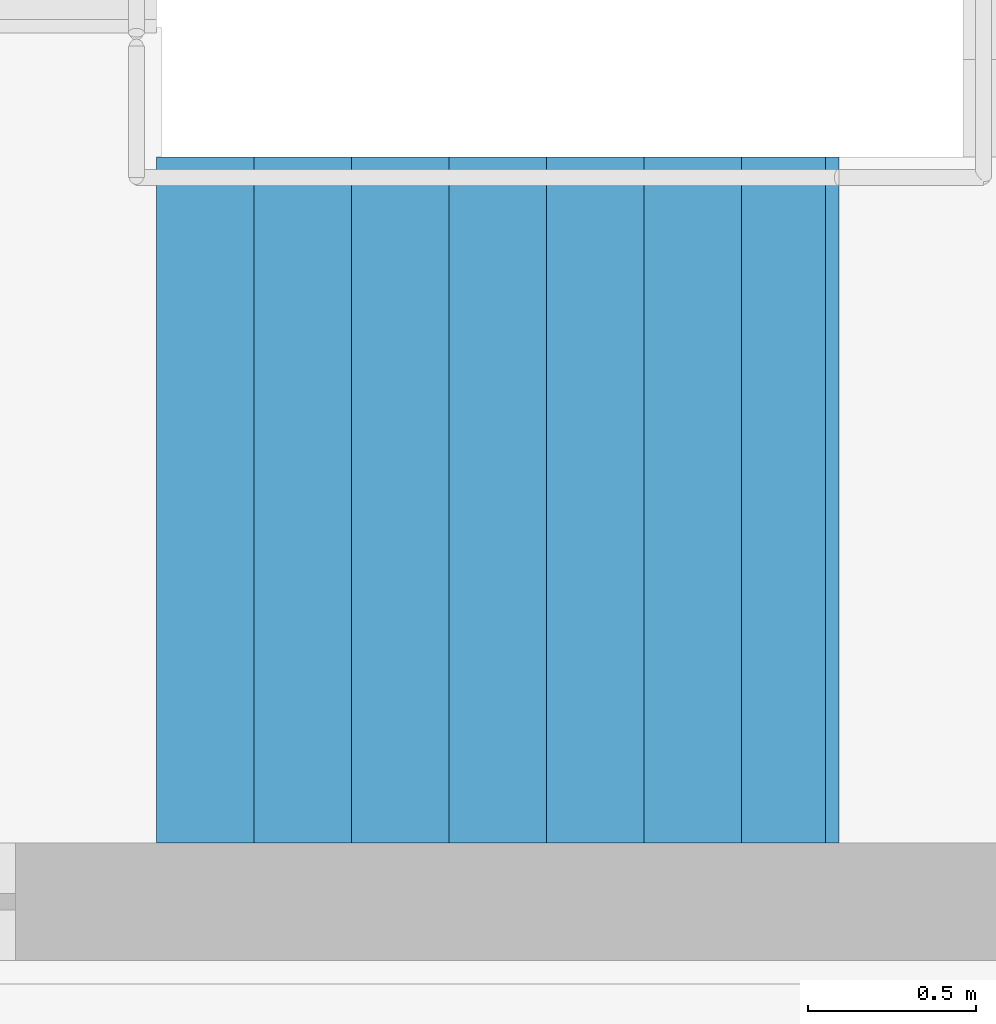
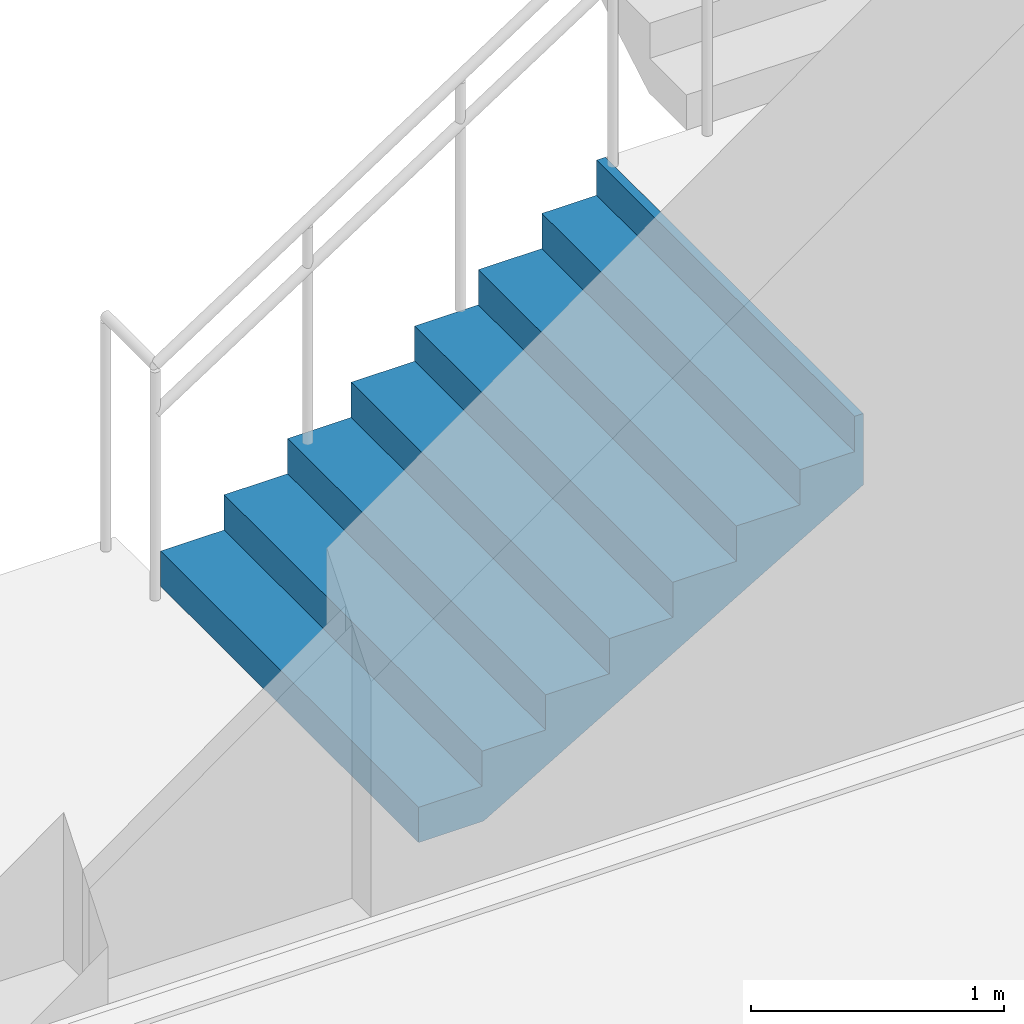
# One storey, part 55 of 74: 1 stair flight, 1 element without a shape of its own.
"""IFC4 building model written with IfcOpenShell, lengths in metres."""

from ifc_helpers import new_model, si_unit, direction, frame, origin, place, context, subcontext, project, spatial, triangles, material, type_object, element, aggregate, save


model = new_model("IFC4")

# Units and contexts
model_context = context("Model", 3, precision=1e-05, world=origin(), true_north=direction((0.0, 1.0)))
body_context = subcontext(model_context, "Body", "Model", "MODEL_VIEW")
ifc_project = project(units=[si_unit("LENGTHUNIT", "METRE"), si_unit("AREAUNIT", "SQUARE_METRE"), si_unit("VOLUMEUNIT", "CUBIC_METRE"), si_unit("PLANEANGLEUNIT", "RADIAN"), si_unit("MASSUNIT", "GRAM", prefix="KILO")], contexts=[model_context])

# Site, building, storey
site_placement = place(None, origin())
site = spatial("IfcSite", under=ifc_project, at=site_placement, CompositionType="ELEMENT")
building_placement = place(site_placement, origin())
building = spatial("IfcBuilding", under=site, at=building_placement, Name="Sillaruma Civic Art Gallery", CompositionType="ELEMENT")
storey_placement = place(building_placement, frame((0.0, 0.0, 5.43994140625)))
storey = spatial("IfcBuildingStorey", under=building, at=storey_placement, Name="L01", CompositionType="ELEMENT", Elevation=5.43994140625)

# Stair, stair flight
ifc_material = material(Name="Concrete H35 (35 MPa)", Category="concrete")
stair_type = type_object("IfcStairType", Name="STR-4F-32", PredefinedType="USERDEFINED", material=ifc_material)
stair_placement = place(storey_placement, origin())
stair = element("IfcStair", 1, at=stair_placement, inside=storey, type_object=stair_type, Name="Protected Exit Stair ST-04 (East Bar) (L01)", ObjectType="THREE_RETURN_STAIR", PredefinedType="USERDEFINED")
stair_flight_type = type_object("IfcStairFlightType", Name="SFL-STR-8", PredefinedType="STRAIGHT", material=ifc_material)
stair_flight_placement = place(storey_placement, frame((100.89990234375, 52.22998046875, 0.0), z_axis=(0.0, 0.0, 1.0), x_axis=(1.0, 0.0, 0.0)))
stair_flight = element("IfcStairFlight", 2, at=stair_flight_placement, type_object=stair_flight_type, Name="ST-04 flight 1", NumberOfRisers=8, NumberOfTreads=7, PredefinedType="STRAIGHT", RiserHeight=0.17, TreadLength=0.29, context=body_context, shape_type="Tessellation", body=[
    triangles([(0.0, -1.02001953125, 0.0), (0.29, -1.02001953125, 0.0), (0.296443, -1.02001953125, 0.0), (0.58, -1.02001953125, 0.166223), (0.87, -1.02001953125, 0.336223), (1.16, -1.02001953125, 0.506223), (1.45, -1.02001953125, 0.676223), (1.74, -1.02001953125, 0.846223), (1.990029, -1.02001953125, 0.992792), (2.030029, -1.02001953125, 1.01624), (2.030029, -1.02001953125, 1.36), (1.990029, -1.02001953125, 1.36), (1.990029, -1.02001953125, 1.19), (1.74, -1.02001953125, 1.19), (1.74, -1.02001953125, 1.02), (1.45, -1.02001953125, 1.02), (1.45, -1.02001953125, 0.85), (1.16, -1.02001953125, 0.85), (1.16, -1.02001953125, 0.68), (0.87, -1.02001953125, 0.68), (0.87, -1.02001953125, 0.51), (0.58, -1.02001953125, 0.51), (0.58, -1.02001953125, 0.34), (0.296443, -1.02001953125, 0.34), (0.29, -1.02001953125, 0.34), (0.29, -1.02001953125, 0.17), (0.0, -1.02001953125, 0.17), (0.0, -0.05, 0.0), (0.29, -0.05, 0.0), (0.296443, -0.05, 0.0), (0.58, -0.05, 0.166223), (0.87, -0.05, 0.336223), (1.16, -0.05, 0.506223), (1.45, -0.05, 0.676223), (1.74, -0.05, 0.846223), (1.990029, -0.05, 0.992792), (2.030029, -0.05, 1.01624), (2.030029, -0.05, 1.36), (1.990029, -0.05, 1.36), (1.990029, -0.05, 1.19), (1.74, -0.05, 1.19), (1.74, -0.05, 1.02), (1.45, -0.05, 1.02), (1.45, -0.05, 0.85), (1.16, -0.05, 0.85), (1.16, -0.05, 0.68), (0.87, -0.05, 0.68), (0.87, -0.05, 0.51), (0.58, -0.05, 0.51), (0.58, -0.05, 0.34), (0.296443, -0.05, 0.34), (0.29, -0.05, 0.34), (0.29, -0.05, 0.17), (0.0, -0.05, 0.17), (0.0, -0.0375, 0.0), (0.29, -0.0375, 0.0), (0.296443, -0.0375, 0.0), (0.58, -0.0375, 0.166223), (0.87, -0.0375, 0.336223), (1.16, -0.0375, 0.506223), (1.45, -0.0375, 0.676223), (1.74, -0.0375, 0.846223), (1.990029, -0.0375, 0.992792), (2.030029, -0.0375, 1.01624), (2.030029, -0.0375, 1.36), (1.990029, -0.0375, 1.36), (1.990029, -0.0375, 1.19), (1.74, -0.0375, 1.19), (1.74, -0.0375, 1.02), (1.45, -0.0375, 1.02), (1.45, -0.0375, 0.85), (1.16, -0.0375, 0.85), (1.16, -0.0375, 0.68), (0.87, -0.0375, 0.68), (0.87, -0.0375, 0.51), (0.58, -0.0375, 0.51), (0.58, -0.0375, 0.34), (0.296443, -0.0375, 0.34), (0.29, -0.0375, 0.34), (0.29, -0.0375, 0.17), (0.0, -0.0375, 0.17), (0.0, -0.025, 0.0), (0.29, -0.025, 0.0), (0.296443, -0.025, 0.0), (0.58, -0.025, 0.166223), (0.87, -0.025, 0.336223), (1.16, -0.025, 0.506223), (1.45, -0.025, 0.676223), (1.74, -0.025, 0.846223), (1.990029, -0.025, 0.992792), (2.030029, -0.025, 1.01624), (2.030029, -0.025, 1.36), (1.990029, -0.025, 1.36), (1.990029, -0.025, 1.19), (1.74, -0.025, 1.19), (1.74, -0.025, 1.02), (1.45, -0.025, 1.02), (1.45, -0.025, 0.85), (1.16, -0.025, 0.85), (1.16, -0.025, 0.68), (0.87, -0.025, 0.68), (0.87, -0.025, 0.51), (0.58, -0.025, 0.51), (0.58, -0.025, 0.34), (0.296443, -0.025, 0.34), (0.29, -0.025, 0.34), (0.29, -0.025, 0.17), (0.0, -0.025, 0.17), (0.0, -0.0125, 0.0), (0.29, -0.0125, 0.0), (0.296443, -0.0125, 0.0), (0.58, -0.0125, 0.166223), (0.87, -0.0125, 0.336223), (1.16, -0.0125, 0.506223), (1.45, -0.0125, 0.676223), (1.74, -0.0125, 0.846223), (1.990029, -0.0125, 0.992792), (2.030029, -0.0125, 1.01624), (2.030029, -0.0125, 1.36), (1.990029, -0.0125, 1.36), (1.990029, -0.0125, 1.19), (1.74, -0.0125, 1.19), (1.74, -0.0125, 1.02), (1.45, -0.0125, 1.02), (1.45, -0.0125, 0.85), (1.16, -0.0125, 0.85), (1.16, -0.0125, 0.68), (0.87, -0.0125, 0.68), (0.87, -0.0125, 0.51), (0.58, -0.0125, 0.51), (0.58, -0.0125, 0.34), (0.296443, -0.0125, 0.34), (0.29, -0.0125, 0.34), (0.29, -0.0125, 0.17), (0.0, -0.0125, 0.17), (0.0, 0.0, 0.0), (0.29, 0.0, 0.0), (0.296443, 0.0, 0.0), (0.58, 0.0, 0.166223), (0.87, 0.0, 0.336223), (1.16, 0.0, 0.506223), (1.45, 0.0, 0.676223), (1.74, 0.0, 0.846223), (1.990029, 0.0, 0.992792), (2.030029, 0.0, 1.01624), (2.030029, 0.0, 1.36), (1.990029, 0.0, 1.36), (1.990029, 0.0, 1.19), (1.74, 0.0, 1.19), (1.74, 0.0, 1.02), (1.45, 0.0, 1.02), (1.45, 0.0, 0.85), (1.16, 0.0, 0.85), (1.16, 0.0, 0.68), (0.87, 0.0, 0.68), (0.87, 0.0, 0.51), (0.58, 0.0, 0.51), (0.58, 0.0, 0.34), (0.296443, 0.0, 0.34), (0.29, 0.0, 0.34), (0.29, 0.0, 0.17), (0.0, 0.0, 0.17), (0.0, 0.0125, 0.0), (0.29, 0.0125, 0.0), (0.296443, 0.0125, 0.0), (0.58, 0.0125, 0.166223), (0.87, 0.0125, 0.336223), (1.16, 0.0125, 0.506223), (1.45, 0.0125, 0.676223), (1.74, 0.0125, 0.846223), (1.990029, 0.0125, 0.992792), (2.030029, 0.0125, 1.01624), (2.030029, 0.0125, 1.36), (1.990029, 0.0125, 1.36), (1.990029, 0.0125, 1.19), (1.74, 0.0125, 1.19), (1.74, 0.0125, 1.02), (1.45, 0.0125, 1.02), (1.45, 0.0125, 0.85), (1.16, 0.0125, 0.85), (1.16, 0.0125, 0.68), (0.87, 0.0125, 0.68), (0.87, 0.0125, 0.51), (0.58, 0.0125, 0.51), (0.58, 0.0125, 0.34), (0.296443, 0.0125, 0.34), (0.29, 0.0125, 0.34), (0.29, 0.0125, 0.17), (0.0, 0.0125, 0.17), (0.0, 0.025, 0.0), (0.29, 0.025, 0.0), (0.296443, 0.025, 0.0), (0.58, 0.025, 0.166223), (0.87, 0.025, 0.336223), (1.16, 0.025, 0.506223), (1.45, 0.025, 0.676223), (1.74, 0.025, 0.846223), (1.990029, 0.025, 0.992792), (2.030029, 0.025, 1.01624), (2.030029, 0.025, 1.36), (1.990029, 0.025, 1.36), (1.990029, 0.025, 1.19), (1.74, 0.025, 1.19), (1.74, 0.025, 1.02), (1.45, 0.025, 1.02), (1.45, 0.025, 0.85), (1.16, 0.025, 0.85), (1.16, 0.025, 0.68), (0.87, 0.025, 0.68), (0.87, 0.025, 0.51), (0.58, 0.025, 0.51), (0.58, 0.025, 0.34), (0.296443, 0.025, 0.34), (0.29, 0.025, 0.34), (0.29, 0.025, 0.17), (0.0, 0.025, 0.17), (0.0, 0.0375, 0.0), (0.29, 0.0375, 0.0), (0.296443, 0.0375, 0.0), (0.58, 0.0375, 0.166223), (0.87, 0.0375, 0.336223), (1.16, 0.0375, 0.506223), (1.45, 0.0375, 0.676223), (1.74, 0.0375, 0.846223), (1.990029, 0.0375, 0.992792), (2.030029, 0.0375, 1.01624), (2.030029, 0.0375, 1.36), (1.990029, 0.0375, 1.36), (1.990029, 0.0375, 1.19), (1.74, 0.0375, 1.19), (1.74, 0.0375, 1.02), (1.45, 0.0375, 1.02), (1.45, 0.0375, 0.85), (1.16, 0.0375, 0.85), (1.16, 0.0375, 0.68), (0.87, 0.0375, 0.68), (0.87, 0.0375, 0.51), (0.58, 0.0375, 0.51), (0.58, 0.0375, 0.34), (0.296443, 0.0375, 0.34), (0.29, 0.0375, 0.34), (0.29, 0.0375, 0.17), (0.0, 0.0375, 0.17), (0.0, 0.05, 0.0), (0.29, 0.05, 0.0), (0.296443, 0.05, 0.0), (0.58, 0.05, 0.166223), (0.87, 0.05, 0.336223), (1.16, 0.05, 0.506223), (1.45, 0.05, 0.676223), (1.74, 0.05, 0.846223), (1.990029, 0.05, 0.992792), (2.030029, 0.05, 1.01624), (2.030029, 0.05, 1.36), (1.990029, 0.05, 1.36), (1.990029, 0.05, 1.19), (1.74, 0.05, 1.19), (1.74, 0.05, 1.02), (1.45, 0.05, 1.02), (1.45, 0.05, 0.85), (1.16, 0.05, 0.85), (1.16, 0.05, 0.68), (0.87, 0.05, 0.68), (0.87, 0.05, 0.51), (0.58, 0.05, 0.51), (0.58, 0.05, 0.34), (0.296443, 0.05, 0.34), (0.29, 0.05, 0.34), (0.29, 0.05, 0.17), (0.0, 0.05, 0.17), (0.0, 1.02001953125, 0.0), (0.29, 1.02001953125, 0.0), (0.296443, 1.02001953125, 0.0), (0.58, 1.02001953125, 0.166223), (0.87, 1.02001953125, 0.336223), (1.16, 1.02001953125, 0.506223), (1.45, 1.02001953125, 0.676223), (1.74, 1.02001953125, 0.846223), (1.990029, 1.02001953125, 0.992792), (2.030029, 1.02001953125, 1.01624), (2.030029, 1.02001953125, 1.36), (1.990029, 1.02001953125, 1.36), (1.990029, 1.02001953125, 1.19), (1.74, 1.02001953125, 1.19), (1.74, 1.02001953125, 1.02), (1.45, 1.02001953125, 1.02), (1.45, 1.02001953125, 0.85), (1.16, 1.02001953125, 0.85), (1.16, 1.02001953125, 0.68), (0.87, 1.02001953125, 0.68), (0.87, 1.02001953125, 0.51), (0.58, 1.02001953125, 0.51), (0.58, 1.02001953125, 0.34), (0.296443, 1.02001953125, 0.34), (0.29, 1.02001953125, 0.34), (0.29, 1.02001953125, 0.17), (0.0, 1.02001953125, 0.17)], [[1, 2, 26], [1, 26, 27], [2, 3, 24], [2, 24, 26], [26, 24, 25], [3, 4, 23], [3, 23, 24], [4, 5, 21], [4, 21, 23], [23, 21, 22], [5, 6, 19], [5, 19, 21], [21, 19, 20], [6, 7, 17], [6, 17, 19], [19, 17, 18], [7, 8, 15], [7, 15, 17], [17, 15, 16], [8, 9, 13], [8, 13, 15], [15, 13, 14], [9, 10, 11], [9, 11, 13], [13, 11, 12], [296, 272, 271], [297, 296, 271], [294, 273, 272], [296, 294, 272], [295, 294, 296], [293, 274, 273], [294, 293, 273], [291, 275, 274], [293, 291, 274], [292, 291, 293], [289, 276, 275], [291, 289, 275], [290, 289, 291], [287, 277, 276], [289, 287, 276], [288, 287, 289], [285, 278, 277], [287, 285, 277], [286, 285, 287], [283, 279, 278], [285, 283, 278], [284, 283, 285], [281, 280, 279], [283, 281, 279], [282, 281, 283], [2, 1, 28], [2, 28, 29], [3, 2, 29], [3, 29, 30], [4, 3, 30], [4, 30, 31], [5, 4, 31], [5, 31, 32], [6, 5, 32], [6, 32, 33], [7, 6, 33], [7, 33, 34], [8, 7, 34], [8, 34, 35], [9, 8, 35], [9, 35, 36], [10, 9, 36], [10, 36, 37], [11, 10, 37], [11, 37, 38], [12, 11, 38], [12, 38, 39], [13, 12, 39], [13, 39, 40], [14, 13, 40], [14, 40, 41], [15, 14, 41], [15, 41, 42], [16, 15, 42], [16, 42, 43], [17, 16, 43], [17, 43, 44], [18, 17, 44], [18, 44, 45], [19, 18, 45], [19, 45, 46], [20, 19, 46], [20, 46, 47], [21, 20, 47], [21, 47, 48], [22, 21, 48], [22, 48, 49], [23, 22, 49], [23, 49, 50], [24, 23, 50], [24, 50, 51], [25, 24, 51], [25, 51, 52], [26, 25, 52], [26, 52, 53], [27, 26, 53], [27, 53, 54], [1, 27, 54], [1, 54, 28], [29, 28, 55], [29, 55, 56], [30, 29, 56], [30, 56, 57], [31, 30, 57], [31, 57, 58], [32, 31, 58], [32, 58, 59], [33, 32, 59], [33, 59, 60], [34, 33, 60], [34, 60, 61], [35, 34, 61], [35, 61, 62], [36, 35, 62], [36, 62, 63], [37, 36, 63], [37, 63, 64], [38, 37, 64], [38, 64, 65], [39, 38, 65], [39, 65, 66], [40, 39, 66], [40, 66, 67], [41, 40, 67], [41, 67, 68], [42, 41, 68], [42, 68, 69], [43, 42, 69], [43, 69, 70], [44, 43, 70], [44, 70, 71], [45, 44, 71], [45, 71, 72], [46, 45, 72], [46, 72, 73], [47, 46, 73], [47, 73, 74], [48, 47, 74], [48, 74, 75], [49, 48, 75], [49, 75, 76], [50, 49, 76], [50, 76, 77], [51, 50, 77], [51, 77, 78], [52, 51, 78], [52, 78, 79], [53, 52, 79], [53, 79, 80], [54, 53, 80], [54, 80, 81], [28, 54, 81], [28, 81, 55], [56, 55, 82], [56, 82, 83], [57, 56, 83], [57, 83, 84], [58, 57, 84], [58, 84, 85], [59, 58, 85], [59, 85, 86], [60, 59, 86], [60, 86, 87], [61, 60, 87], [61, 87, 88], [62, 61, 88], [62, 88, 89], [63, 62, 89], [63, 89, 90], [64, 63, 90], [64, 90, 91], [65, 64, 91], [65, 91, 92], [66, 65, 92], [66, 92, 93], [67, 66, 93], [67, 93, 94], [68, 67, 94], [68, 94, 95], [69, 68, 95], [69, 95, 96], [70, 69, 96], [70, 96, 97], [71, 70, 97], [71, 97, 98], [72, 71, 98], [72, 98, 99], [73, 72, 99], [73, 99, 100], [74, 73, 100], [74, 100, 101], [75, 74, 101], [75, 101, 102], [76, 75, 102], [76, 102, 103], [77, 76, 103], [77, 103, 104], [78, 77, 104], [78, 104, 105], [79, 78, 105], [79, 105, 106], [80, 79, 106], [80, 106, 107], [81, 80, 107], [81, 107, 108], [55, 81, 108], [55, 108, 82], [83, 82, 109], [83, 109, 110], [84, 83, 110], [84, 110, 111], [85, 84, 111], [85, 111, 112], [86, 85, 112], [86, 112, 113], [87, 86, 113], [87, 113, 114], [88, 87, 114], [88, 114, 115], [89, 88, 115], [89, 115, 116], [90, 89, 116], [90, 116, 117], [91, 90, 117], [91, 117, 118], [92, 91, 118], [92, 118, 119], [93, 92, 119], [93, 119, 120], [94, 93, 120], [94, 120, 121], [95, 94, 121], [95, 121, 122], [96, 95, 122], [96, 122, 123], [97, 96, 123], [97, 123, 124], [98, 97, 124], [98, 124, 125], [99, 98, 125], [99, 125, 126], [100, 99, 126], [100, 126, 127], [101, 100, 127], [101, 127, 128], [102, 101, 128], [102, 128, 129], [103, 102, 129], [103, 129, 130], [104, 103, 130], [104, 130, 131], [105, 104, 131], [105, 131, 132], [106, 105, 132], [106, 132, 133], [107, 106, 133], [107, 133, 134], [108, 107, 134], [108, 134, 135], [82, 108, 135], [82, 135, 109], [110, 109, 136], [110, 136, 137], [111, 110, 137], [111, 137, 138], [112, 111, 138], [112, 138, 139], [113, 112, 139], [113, 139, 140], [114, 113, 140], [114, 140, 141], [115, 114, 141], [115, 141, 142], [116, 115, 142], [116, 142, 143], [117, 116, 143], [117, 143, 144], [118, 117, 144], [118, 144, 145], [119, 118, 145], [119, 145, 146], [120, 119, 146], [120, 146, 147], [121, 120, 147], [121, 147, 148], [122, 121, 148], [122, 148, 149], [123, 122, 149], [123, 149, 150], [124, 123, 150], [124, 150, 151], [125, 124, 151], [125, 151, 152], [126, 125, 152], [126, 152, 153], [127, 126, 153], [127, 153, 154], [128, 127, 154], [128, 154, 155], [129, 128, 155], [129, 155, 156], [130, 129, 156], [130, 156, 157], [131, 130, 157], [131, 157, 158], [132, 131, 158], [132, 158, 159], [133, 132, 159], [133, 159, 160], [134, 133, 160], [134, 160, 161], [135, 134, 161], [135, 161, 162], [109, 135, 162], [109, 162, 136], [137, 136, 163], [137, 163, 164], [138, 137, 164], [138, 164, 165], [139, 138, 165], [139, 165, 166], [140, 139, 166], [140, 166, 167], [141, 140, 167], [141, 167, 168], [142, 141, 168], [142, 168, 169], [143, 142, 169], [143, 169, 170], [144, 143, 170], [144, 170, 171], [145, 144, 171], [145, 171, 172], [146, 145, 172], [146, 172, 173], [147, 146, 173], [147, 173, 174], [148, 147, 174], [148, 174, 175], [149, 148, 175], [149, 175, 176], [150, 149, 176], [150, 176, 177], [151, 150, 177], [151, 177, 178], [152, 151, 178], [152, 178, 179], [153, 152, 179], [153, 179, 180], [154, 153, 180], [154, 180, 181], [155, 154, 181], [155, 181, 182], [156, 155, 182], [156, 182, 183], [157, 156, 183], [157, 183, 184], [158, 157, 184], [158, 184, 185], [159, 158, 185], [159, 185, 186], [160, 159, 186], [160, 186, 187], [161, 160, 187], [161, 187, 188], [162, 161, 188], [162, 188, 189], [136, 162, 189], [136, 189, 163], [164, 163, 190], [164, 190, 191], [165, 164, 191], [165, 191, 192], [166, 165, 192], [166, 192, 193], [167, 166, 193], [167, 193, 194], [168, 167, 194], [168, 194, 195], [169, 168, 195], [169, 195, 196], [170, 169, 196], [170, 196, 197], [171, 170, 197], [171, 197, 198], [172, 171, 198], [172, 198, 199], [173, 172, 199], [173, 199, 200], [174, 173, 200], [174, 200, 201], [175, 174, 201], [175, 201, 202], [176, 175, 202], [176, 202, 203], [177, 176, 203], [177, 203, 204], [178, 177, 204], [178, 204, 205], [179, 178, 205], [179, 205, 206], [180, 179, 206], [180, 206, 207], [181, 180, 207], [181, 207, 208], [182, 181, 208], [182, 208, 209], [183, 182, 209], [183, 209, 210], [184, 183, 210], [184, 210, 211], [185, 184, 211], [185, 211, 212], [186, 185, 212], [186, 212, 213], [187, 186, 213], [187, 213, 214], [188, 187, 214], [188, 214, 215], [189, 188, 215], [189, 215, 216], [163, 189, 216], [163, 216, 190], [191, 190, 217], [191, 217, 218], [192, 191, 218], [192, 218, 219], [193, 192, 219], [193, 219, 220], [194, 193, 220], [194, 220, 221], [195, 194, 221], [195, 221, 222], [196, 195, 222], [196, 222, 223], [197, 196, 223], [197, 223, 224], [198, 197, 224], [198, 224, 225], [199, 198, 225], [199, 225, 226], [200, 199, 226], [200, 226, 227], [201, 200, 227], [201, 227, 228], [202, 201, 228], [202, 228, 229], [203, 202, 229], [203, 229, 230], [204, 203, 230], [204, 230, 231], [205, 204, 231], [205, 231, 232], [206, 205, 232], [206, 232, 233], [207, 206, 233], [207, 233, 234], [208, 207, 234], [208, 234, 235], [209, 208, 235], [209, 235, 236], [210, 209, 236], [210, 236, 237], [211, 210, 237], [211, 237, 238], [212, 211, 238], [212, 238, 239], [213, 212, 239], [213, 239, 240], [214, 213, 240], [214, 240, 241], [215, 214, 241], [215, 241, 242], [216, 215, 242], [216, 242, 243], [190, 216, 243], [190, 243, 217], [218, 217, 244], [218, 244, 245], [219, 218, 245], [219, 245, 246], [220, 219, 246], [220, 246, 247], [221, 220, 247], [221, 247, 248], [222, 221, 248], [222, 248, 249], [223, 222, 249], [223, 249, 250], [224, 223, 250], [224, 250, 251], [225, 224, 251], [225, 251, 252], [226, 225, 252], [226, 252, 253], [227, 226, 253], [227, 253, 254], [228, 227, 254], [228, 254, 255], [229, 228, 255], [229, 255, 256], [230, 229, 256], [230, 256, 257], [231, 230, 257], [231, 257, 258], [232, 231, 258], [232, 258, 259], [233, 232, 259], [233, 259, 260], [234, 233, 260], [234, 260, 261], [235, 234, 261], [235, 261, 262], [236, 235, 262], [236, 262, 263], [237, 236, 263], [237, 263, 264], [238, 237, 264], [238, 264, 265], [239, 238, 265], [239, 265, 266], [240, 239, 266], [240, 266, 267], [241, 240, 267], [241, 267, 268], [242, 241, 268], [242, 268, 269], [243, 242, 269], [243, 269, 270], [217, 243, 270], [217, 270, 244], [245, 244, 271], [245, 271, 272], [246, 245, 272], [246, 272, 273], [247, 246, 273], [247, 273, 274], [248, 247, 274], [248, 274, 275], [249, 248, 275], [249, 275, 276], [250, 249, 276], [250, 276, 277], [251, 250, 277], [251, 277, 278], [252, 251, 278], [252, 278, 279], [253, 252, 279], [253, 279, 280], [254, 253, 280], [254, 280, 281], [255, 254, 281], [255, 281, 282], [256, 255, 282], [256, 282, 283], [257, 256, 283], [257, 283, 284], [258, 257, 284], [258, 284, 285], [259, 258, 285], [259, 285, 286], [260, 259, 286], [260, 286, 287], [261, 260, 287], [261, 287, 288], [262, 261, 288], [262, 288, 289], [263, 262, 289], [263, 289, 290], [264, 263, 290], [264, 290, 291], [265, 264, 291], [265, 291, 292], [266, 265, 292], [266, 292, 293], [267, 266, 293], [267, 293, 294], [268, 267, 294], [268, 294, 295], [269, 268, 295], [269, 295, 296], [270, 269, 296], [270, 296, 297], [244, 270, 297], [244, 297, 271]], closed=True),
])
aggregate(stair, [stair_flight])

save(model, "model.ifc")
